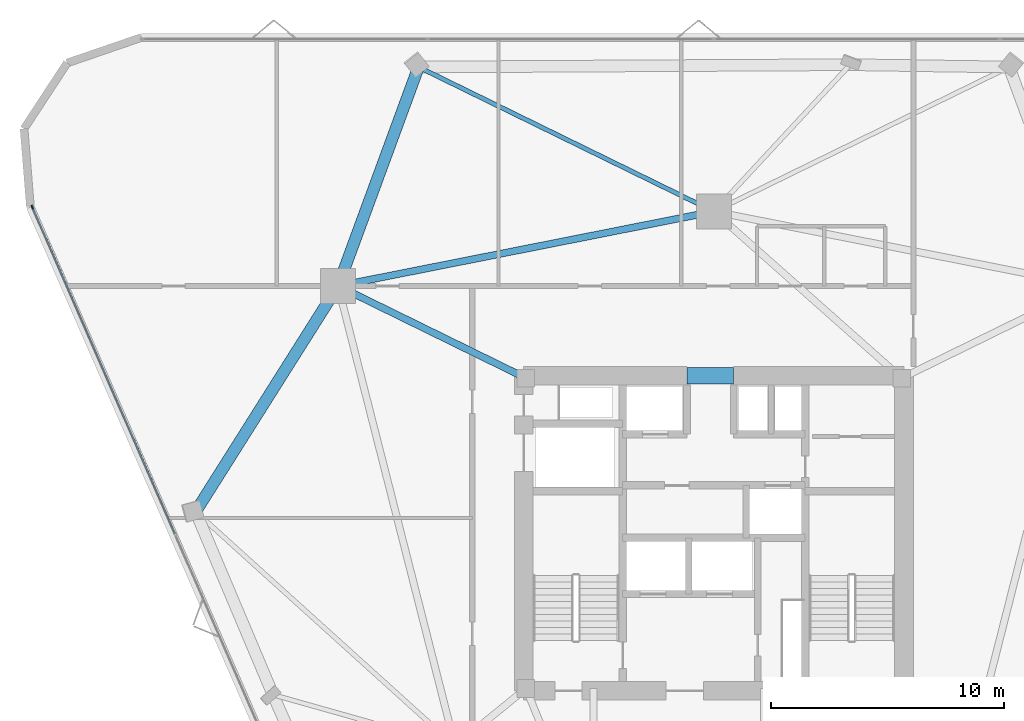
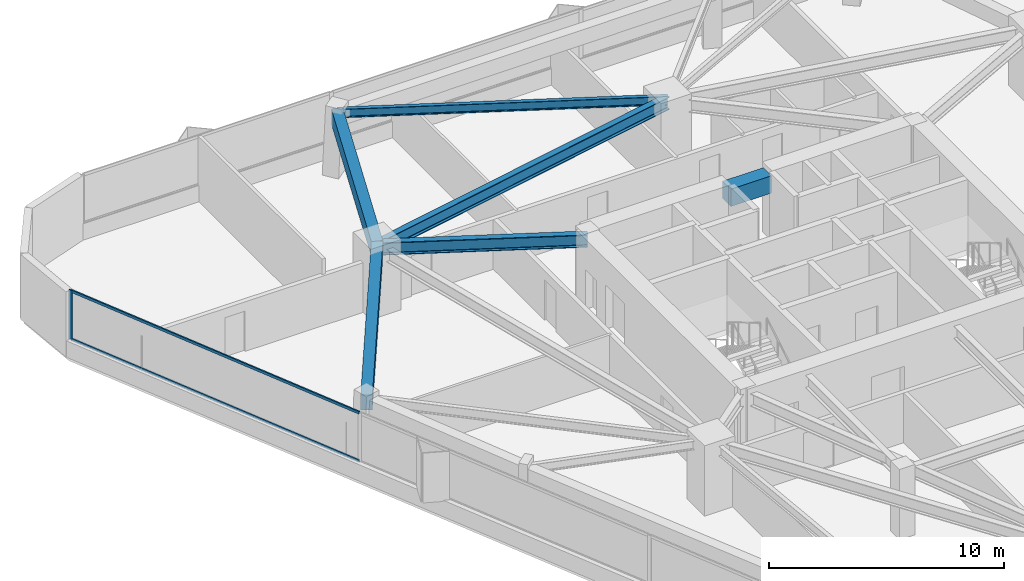
# One storey, part 5 of 15: 6 beams, 3 members, 1 element without a shape of its own.
"""IFC4 building model written with IfcOpenShell, lengths in metres."""

from ifc_helpers import new_model, si_unit, direction, frame, origin, origin_2d, place, context, subcontext, project, spatial, rectangle, i_section, extrude, material, layer, layer_set, material_profile, profile_set, type_object, element, aggregate, save


model = new_model("IFC4")

# Units and contexts
model_context = context("Model", 3, precision=1e-05, world=origin(), true_north=direction((0.0, 1.0)))
body_context = subcontext(model_context, "Body", "Model", "MODEL_VIEW")
ifc_project = project(units=[si_unit("LENGTHUNIT", "METRE"), si_unit("AREAUNIT", "SQUARE_METRE"), si_unit("VOLUMEUNIT", "CUBIC_METRE"), si_unit("PLANEANGLEUNIT", "RADIAN"), si_unit("MASSUNIT", "GRAM", prefix="KILO")], contexts=[model_context])

# Site, building, storey
site_placement = place(None, origin())
site = spatial("IfcSite", under=ifc_project, at=site_placement, CompositionType="ELEMENT")
building_placement = place(site_placement, origin())
building = spatial("IfcBuilding", under=site, at=building_placement, Name="Talyreon Biosciences Tower", CompositionType="ELEMENT")
storey_placement = place(building_placement, frame((0.0, 0.0, 127.199951171875)))
storey = spatial("IfcBuildingStorey", under=building, at=storey_placement, Name="L33", CompositionType="ELEMENT", Elevation=127.199951171875)

# Curtain wall, members
ifc_material_1 = material(Name="Thermally broken aluminium and low-E glazing", Category="aluminium")
ifc_layer = layer(ifc_material_1, 0.18505859375)
ifc_layer_set = layer_set([ifc_layer], Name="Thermally broken aluminium and low-E glazing")
curtain_wall_type = type_object("IfcCurtainWallType", Name="CurtainWall_Zone3Bioprocess", PredefinedType="NOTDEFINED", material=ifc_layer_set)
curtain_wall_placement = place(storey_placement, origin())
curtain_wall = element("IfcCurtainWall", 1, at=curtain_wall_placement, inside=storey, type_object=curtain_wall_type, Name="L33 Unitised Curtain Wall FCW-L33-00", PredefinedType="NOTDEFINED")
ifc_material_2 = material(Name="Anodised thermally broken aluminium", Category="aluminium")
ifc_material_profile_1 = material_profile(ifc_material_2, rectangle(XDim=0.06494140625, YDim=0.179931640625, at=origin_2d()), Name="ALUM MULLION 65x180")
ifc_profile_set_1 = profile_set([ifc_material_profile_1], Name="Anodised thermally broken aluminium")
member_type_1 = type_object("IfcMemberType", Name="CWMullion_65x180", PredefinedType="MULLION", material=ifc_profile_set_1)
member_1_placement = place(storey_placement, frame((36.797607421875, 81.974853515625, 0.81005859375), z_axis=(0.0, 0.0, 1.0), x_axis=(-0.916489607057, -0.400058495919, 0.0)))
member_1 = element("IfcMember", 2, at=member_1_placement, type_object=member_type_1, Name="CW4 mullion 5", PredefinedType="MULLION", context=body_context, shape_type="SweptSolid", body=[
    extrude(rectangle(XDim=0.06494140625, YDim=0.179931640625, at=origin_2d()), origin(), (0.0, 0.0, 1.0), 2.56494140625),
])
ifc_material_profile_2 = material_profile(ifc_material_2, rectangle(XDim=0.06494140625, YDim=0.139892578125, at=origin_2d()), Name="ALUM TRANSOM 65x140")
ifc_profile_set_2 = profile_set([ifc_material_profile_2], Name="Anodised thermally broken aluminium")
member_type_2 = type_object("IfcMemberType", Name="CWTransom_65x140", PredefinedType="USERDEFINED", material=ifc_profile_set_2)
member_2_placement = place(storey_placement, frame((42.90234375, 67.989501953125, 0.842529296875), z_axis=(-0.400060037809, 0.916488934002, 0.0), x_axis=(-0.916488934002, -0.400060037809, 0.0)))
member_2 = element("IfcMember", 3, at=member_2_placement, type_object=member_type_2, Name="CW4 transom 4.1", ObjectType="TRANSOM", PredefinedType="USERDEFINED", context=body_context, shape_type="SweptSolid", body=[
    extrude(rectangle(XDim=0.06494140625, YDim=0.139892578125, at=origin_2d()), origin(), (0.0, 0.0, 1.0), 15.227294921875),
])
member_3_placement = place(storey_placement, frame((42.90234375, 67.989501953125, 3.342529296875), z_axis=(-0.400060037809, 0.916488934002, 0.0), x_axis=(-0.916488934002, -0.400060037809, 0.0)))
member_3 = element("IfcMember", 4, at=member_3_placement, type_object=member_type_2, Name="CW4 transom 4.2", ObjectType="TRANSOM", PredefinedType="USERDEFINED", context=body_context, shape_type="SweptSolid", body=[
    extrude(rectangle(XDim=0.06494140625, YDim=0.139892578125, at=origin_2d()), origin(), (0.0, 0.0, 1.0), 15.227294921875),
])
aggregate(curtain_wall, [member_1, member_2, member_3])

# Beams
ifc_material_3 = material(Name="Concrete C60/75", Category="concrete")
ifc_material_profile_3 = material_profile(ifc_material_3, rectangle(XDim=0.699951171875, YDim=0.89990234375, at=origin_2d()), Name="RCB 700x900")
ifc_profile_set_3 = profile_set([ifc_material_profile_3], Name="Concrete C60/75")
beam_type_1 = type_object("IfcBeamType", Name="CoreCouplingLintel_700x900", PredefinedType="LINTEL", material=ifc_profile_set_3)
beam_1_placement = place(storey_placement, frame((64.85009765625, 74.75, 2.925048828125), z_axis=(1.0, 0.0, 0.0), x_axis=(0.0, 1.0, 0.0)))
element("IfcBeam", 5, at=beam_1_placement, inside=storey, type_object=beam_type_1, Name="L33 Core Coupling Lintel", PredefinedType="LINTEL", context=body_context, shape_type="SweptSolid", body=[
    extrude(rectangle(XDim=0.699951171875, YDim=0.89990234375, at=origin_2d()), origin(), (0.0, 0.0, 1.0), 2.0),
])
ifc_material_4 = material(Name="Precast concrete C45/55", Category="concrete")
ifc_material_profile_4 = material_profile(ifc_material_4, rectangle(XDim=0.5, YDim=0.780029296875, at=origin_2d()), Name="RCB 500x780")
ifc_profile_set_4 = profile_set([ifc_material_profile_4], Name="Precast concrete C45/55")
beam_type_2 = type_object("IfcBeamType", Name="ExpressedSpandrel_500x780", PredefinedType="SPANDREL", material=ifc_profile_set_4)
beam_2_placement = place(storey_placement, frame((53.345947265625, 87.980712890625, 2.985107421875), z_axis=(-0.3449729328, -0.938612633431, 0.0), x_axis=(0.938612633431, -0.3449729328, 0.0)))
element("IfcBeam", 6, at=beam_2_placement, inside=storey, type_object=beam_type_2, Name="L33 Expressed Horizontal Concrete Spandrel 08", PredefinedType="SPANDREL", context=body_context, shape_type="SweptSolid", body=[
    extrude(rectangle(XDim=0.5, YDim=0.780029296875, at=origin_2d()), origin(), (0.0, 0.0, 1.0), 9.99560546875),
])
beam_3_placement = place(storey_placement, frame((49.897705078125, 78.5986328125, 2.985107421875), z_axis=(-0.533795372052, -0.84561368294, 0.0), x_axis=(0.84561368294, -0.533795372052, 0.0)))
element("IfcBeam", 7, at=beam_3_placement, inside=storey, type_object=beam_type_2, Name="L33 Expressed Horizontal Concrete Spandrel 09", PredefinedType="SPANDREL", context=body_context, shape_type="SweptSolid", body=[
    extrude(rectangle(XDim=0.5, YDim=0.780029296875, at=origin_2d()), origin(), (0.0, 0.0, 1.0), 11.43505859375),
])
ifc_material_5 = material(Name="Steel SM355", Category="steel")
ifc_material_profile_5 = material_profile(ifc_material_5, i_section(OverallWidth=0.300048828125, OverallDepth=0.64990234375, WebThickness=0.01611328125, FlangeThickness=0.031005859375, FilletRadius=0.027099609375, at=origin_2d()), Name="HE650B")
ifc_profile_set_5 = profile_set([ifc_material_profile_5], Name="Steel SM355")
beam_type_3 = type_object("IfcBeamType", Name="SteelBeam_HE650B", PredefinedType="BEAM", material=ifc_profile_set_5)
beam_4_placement = place(storey_placement, frame((66.0, 81.788818359375, 3.050048828125), z_axis=(-0.980933730698, -0.194342522311, 0.0), x_axis=(0.194342522311, -0.980933730698, 0.0)))
element("IfcBeam", 8, at=beam_4_placement, inside=storey, type_object=beam_type_3, Name="L33 Mega-Ring Girder 4", PredefinedType="BEAM", context=body_context, shape_type="SweptSolid", body=[
    extrude(i_section(OverallWidth=0.300048828125, OverallDepth=0.64990234375, WebThickness=0.01611328125, FlangeThickness=0.031005859375, FilletRadius=0.027099609375, at=origin_2d()), origin(), (0.0, 0.0, 1.0), 16.415283203125),
])
beam_5_placement = place(storey_placement, frame((57.949951171875, 74.64990234375, 3.050048828125), z_axis=(-0.897852360314, 0.440296648952, 0.0), x_axis=(-0.440296648952, -0.897852360314, 0.0)))
element("IfcBeam", 9, at=beam_5_placement, inside=storey, type_object=beam_type_3, Name="L33 Radial Primary Girder 5", PredefinedType="BEAM", context=body_context, shape_type="SweptSolid", body=[
    extrude(i_section(OverallWidth=0.300048828125, OverallDepth=0.64990234375, WebThickness=0.01611328125, FlangeThickness=0.031005859375, FilletRadius=0.027099609375, at=origin_2d()), origin(), (0.0, 0.0, 1.0), 8.96826171875),
])
ifc_material_profile_6 = material_profile(ifc_material_5, i_section(OverallWidth=0.18994140625, OverallDepth=0.449951171875, WebThickness=0.009521484375, FlangeThickness=0.0146484375, FilletRadius=0.02099609375, at=origin_2d()), Name="IPE450")
ifc_profile_set_6 = profile_set([ifc_material_profile_6], Name="Steel SM355")
beam_type_4 = type_object("IfcBeamType", Name="SteelJoist_IPE450", PredefinedType="JOIST", material=ifc_profile_set_6)
beam_6_placement = place(storey_placement, frame((66.0, 81.788818359375, 3.150146484375), z_axis=(-0.898231133693, 0.439523412875, 0.0), x_axis=(-0.439523412875, -0.898231133693, 0.0)))
element("IfcBeam", 10, at=beam_6_placement, inside=storey, type_object=beam_type_4, Name="L33 Radial Composite Floor Joist PC-N2", PredefinedType="JOIST", context=body_context, shape_type="SweptSolid", body=[
    extrude(i_section(OverallWidth=0.18994140625, OverallDepth=0.449951171875, WebThickness=0.009521484375, FlangeThickness=0.0146484375, FilletRadius=0.02099609375, at=origin_2d()), origin(), (0.0, 0.0, 1.0), 14.087646484375),
])

save(model, "model.ifc")
